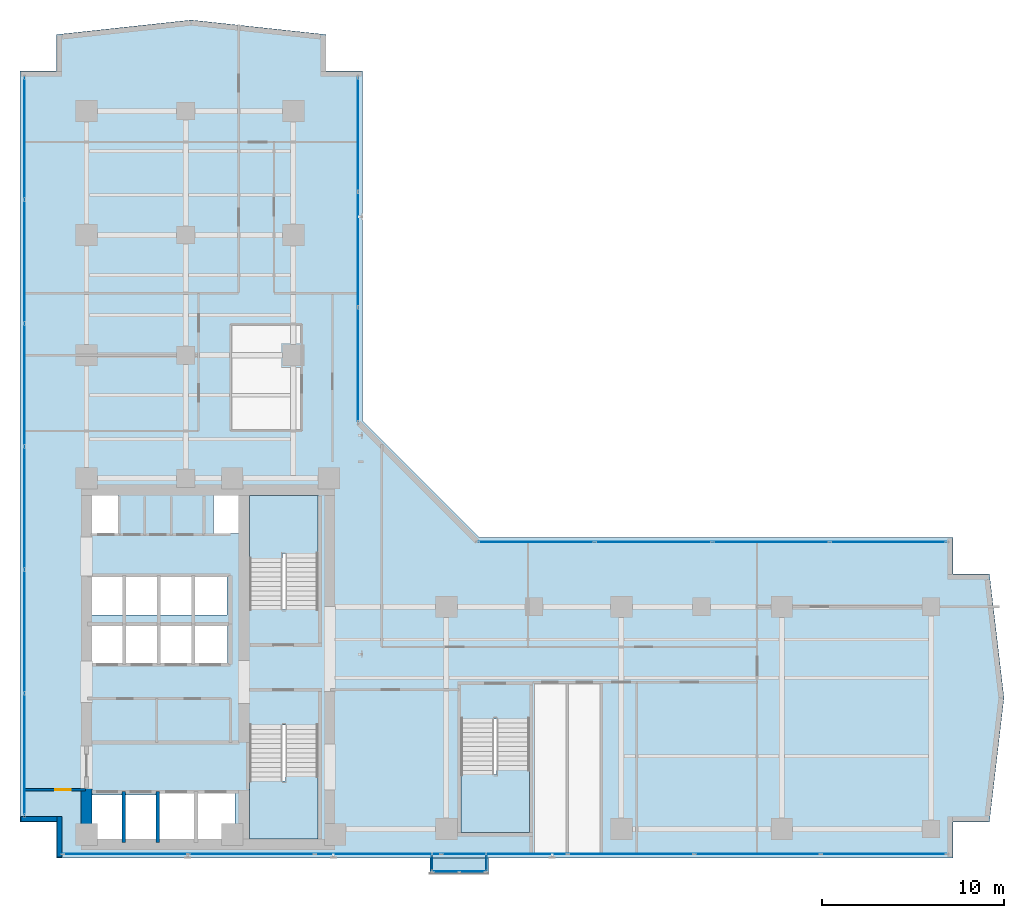
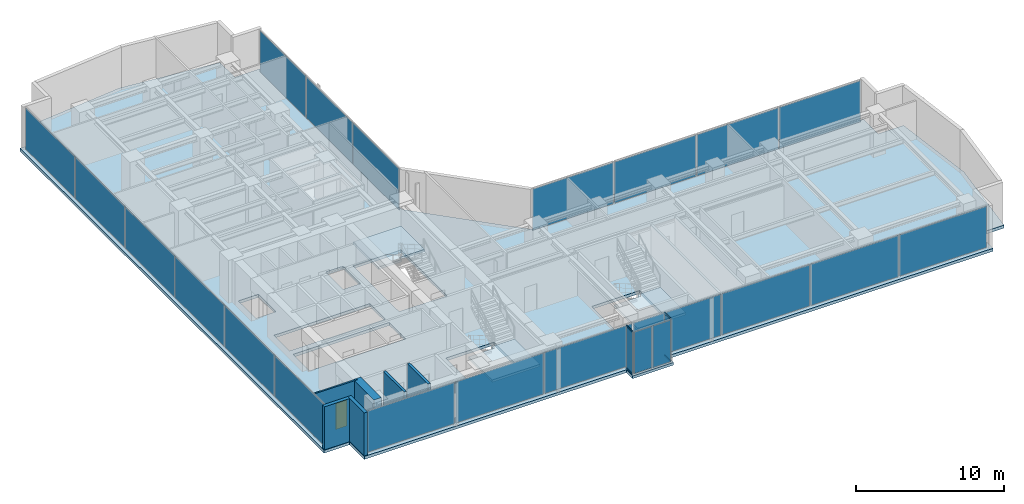
# One storey, part 18 of 24: 24 plates, 6 walls, 5 slabs, 4 members, 1 door, 1 opening, 10 elements without a shape of their own.
"""IFC4 building model written with IfcOpenShell, lengths in metres."""

from ifc_helpers import new_model, si_unit, direction, frame, frame_2d, origin, origin_with_axes, origin_2d, place, context, subcontext, project, spatial, polyline, rectangle, hollow_rectangle, outline, extrude, source, transform, mapped, material, layer, layer_set, material_profile, profile_set, type_object, element, fill, aggregate, save


model = new_model("IFC4")

# Units and contexts
model_context = context("Model", 3, precision=1e-05, world=origin(), true_north=direction((0.0, 1.0)))
body_context = subcontext(model_context, "Body", "Model", "MODEL_VIEW")
ifc_project = project(units=[si_unit("LENGTHUNIT", "METRE"), si_unit("AREAUNIT", "SQUARE_METRE"), si_unit("VOLUMEUNIT", "CUBIC_METRE"), si_unit("PLANEANGLEUNIT", "RADIAN"), si_unit("MASSUNIT", "GRAM", prefix="KILO")], contexts=[model_context])

# Site, building, storey
site_placement = place(None, origin())
site = spatial("IfcSite", under=ifc_project, at=site_placement, CompositionType="ELEMENT")
building_placement = place(site_placement, origin())
building = spatial("IfcBuilding", under=site, at=building_placement, Name="Kolvaren Waterfront Exchange", CompositionType="ELEMENT")
storey_placement = place(building_placement, frame((0.0, 0.0, 169.0)))
storey = spatial("IfcBuildingStorey", under=building, at=storey_placement, Name="L43", CompositionType="ELEMENT", Elevation=169.0)

# Curtain wall, members
ifc_material_1 = material(Name="Anodised bronze aluminium 6063-T6", Category="aluminium")
ifc_layer_1 = layer(ifc_material_1, 0.219970703125, Name="Anodised bronze aluminium 6063-T6")
ifc_layer_set_1 = layer_set([ifc_layer_1], Name="Anodised bronze aluminium 6063-T6")
curtain_wall_type_1 = type_object("IfcCurtainWallType", Name="ARC-CW-SYS3", PredefinedType="USERDEFINED", material=ifc_layer_set_1)
curtain_wall_1_placement = place(storey_placement, origin())
curtain_wall_1 = element("IfcCurtainWall", 1, at=curtain_wall_1_placement, inside=storey, type_object=curtain_wall_type_1, Name="L43 stick curtain wall CW3 (CW-L43-BOX-W)", ObjectType="STICK CURTAIN WALL", PredefinedType="USERDEFINED")
ifc_material_profile = material_profile(ifc_material_1, hollow_rectangle(XDim=0.06494140625, YDim=0.1298828125, WallThickness=0.00390625, at=origin_2d()), Name="ALU-TRN-130x65x4")
ifc_profile_set = profile_set([ifc_material_profile], Name="Anodised bronze aluminium 6063-T6")
member_type = type_object("IfcMemberType", Name="ARC-CWT-130", PredefinedType="USERDEFINED", material=ifc_profile_set)
shared_shape_1 = source(origin_with_axes(), body_context, "Body", "SweptSolid", [
    extrude(hollow_rectangle(XDim=0.06494140625, YDim=0.1298828125, WallThickness=0.00390625, at=origin_2d()), origin(), (0.0, 0.0, 1.0), 0.829833984375),
])
member_1_placement = place(storey_placement, frame((26.409912109375, 3.764892578125, 0.032470703125), z_axis=(0.0, -1.0, 0.0), x_axis=(1.0, 0.0, 0.0)))
member_1 = element("IfcMember", 2, at=member_1_placement, type_object=member_type, Name="CW3 transom 1.1", ObjectType="TRANSOM", PredefinedType="USERDEFINED", context=body_context, shape_type="MappedRepresentation", body=[
    mapped(shared_shape_1, transform((0.0, 0.0, 0.0), x_axis=(1.0, 0.0, 0.0), y_axis=(0.0, 1.0, 0.0), z_axis=(0.0, 0.0, 1.0), scale=1.0)),
])
member_2_placement = place(storey_placement, frame((26.409912109375, 3.764892578125, 3.527587890625), z_axis=(0.0, -1.0, 0.0), x_axis=(1.0, 0.0, 0.0)))
member_2 = element("IfcMember", 3, at=member_2_placement, type_object=member_type, Name="CW3 transom 1.2", ObjectType="TRANSOM", PredefinedType="USERDEFINED", context=body_context, shape_type="MappedRepresentation", body=[
    mapped(shared_shape_1, transform((0.0, 0.0, 0.0), x_axis=(1.0, 0.0, 0.0), y_axis=(0.0, 1.0, 0.0), z_axis=(0.0, 0.0, 1.0), scale=1.0)),
])

curtain_wall_2_placement = place(storey_placement, origin())
curtain_wall_2 = element("IfcCurtainWall", 4, at=curtain_wall_2_placement, inside=storey, type_object=curtain_wall_type_1, Name="L43 stick curtain wall CW3 (CW-L43-BOX-E)", ObjectType="STICK CURTAIN WALL", PredefinedType="USERDEFINED")
member_3_placement = place(storey_placement, frame((29.389892578125, 2.93505859375, 0.032470703125), z_axis=(0.0, 1.0, 0.0), x_axis=(-1.0, 0.0, 0.0)))
member_3 = element("IfcMember", 5, at=member_3_placement, type_object=member_type, Name="CW3 transom 1.1", ObjectType="TRANSOM", PredefinedType="USERDEFINED", context=body_context, shape_type="MappedRepresentation", body=[
    mapped(shared_shape_1, transform((0.0, 0.0, 0.0), x_axis=(1.0, 0.0, 0.0), y_axis=(0.0, 1.0, 0.0), z_axis=(0.0, 0.0, 1.0), scale=1.0)),
])
member_4_placement = place(storey_placement, frame((29.389892578125, 2.93505859375, 3.527587890625), z_axis=(0.0, 1.0, 0.0), x_axis=(-1.0, 0.0, 0.0)))
member_4 = element("IfcMember", 6, at=member_4_placement, type_object=member_type, Name="CW3 transom 1.2", ObjectType="TRANSOM", PredefinedType="USERDEFINED", context=body_context, shape_type="MappedRepresentation", body=[
    mapped(shared_shape_1, transform((0.0, 0.0, 0.0), x_axis=(1.0, 0.0, 0.0), y_axis=(0.0, 1.0, 0.0), z_axis=(0.0, 0.0, 1.0), scale=1.0)),
])

# Stair, slab
ifc_material_2 = material(Name="Concrete C40/50", Category="concrete")
stair_type = type_object("IfcStairType", Name="ARC-STAIR-3800", PredefinedType="HALF_TURN_STAIR", material=ifc_material_2)
stair_1_placement = place(storey_placement, origin())
stair_1 = element("IfcStair", 7, at=stair_1_placement, inside=storey, type_object=stair_type, Name="L43 Smoke-proof exit stair ST1", PredefinedType="HALF_TURN_STAIR")
ifc_layer_2 = layer(ifc_material_2, 0.199951171875, Name="Concrete C40/50")
ifc_layer_set_2 = layer_set([ifc_layer_2], Name="Concrete C40/50")
slab_type_1 = type_object("IfcSlabType", Name="STR-LANDING-200", PredefinedType="LANDING", material=ifc_layer_set_2)
slab_1_placement = place(storey_placement, frame((0.0, 0.0, 1.77587890625)))
slab_1 = element("IfcSlab", 8, at=slab_1_placement, type_object=slab_type_1, Name="ST1 landing 1", PredefinedType="LANDING", context=body_context, shape_type="SweptSolid", body=[
    extrude(outline(polyline([(16.39990234375, 7.840087890625), (16.39990234375, 4.64990234375), (20.159912109375, 4.64990234375), (20.159912109375, 8.10009765625), (18.360107421875, 8.10009765625), (18.360107421875, 7.840087890625), (16.39990234375, 7.840087890625)])), origin(), (0.0, 0.0, 1.0), 0.2001953125),
])
aggregate(stair_1, [slab_1])

stair_2_placement = place(storey_placement, origin())
stair_2 = element("IfcStair", 9, at=stair_2_placement, inside=storey, type_object=stair_type, Name="L43 Smoke-proof exit stair ST2", PredefinedType="HALF_TURN_STAIR")
slab_2_placement = place(storey_placement, frame((0.0, 0.0, 1.77587890625)))
slab_2 = element("IfcSlab", 10, at=slab_2_placement, type_object=slab_type_1, Name="ST2 landing 1", PredefinedType="LANDING", context=body_context, shape_type="SweptSolid", body=[
    extrude(outline(polyline([(20.159912109375, 20.31005859375), (20.159912109375, 23.5), (16.39990234375, 23.5), (16.39990234375, 20.050048828125), (18.199951171875, 20.050048828125), (18.199951171875, 20.31005859375), (20.159912109375, 20.31005859375)])), origin(), (0.0, 0.0, 1.0), 0.2001953125),
])
aggregate(stair_2, [slab_2])

stair_3_placement = place(storey_placement, origin())
stair_3 = element("IfcStair", 11, at=stair_3_placement, inside=storey, type_object=stair_type, Name="L43 Exit stair ST3", PredefinedType="HALF_TURN_STAIR")
slab_3_placement = place(storey_placement, frame((0.0, 0.0, 1.77587890625)))
slab_3 = element("IfcSlab", 12, at=slab_3_placement, type_object=slab_type_1, Name="ST3 landing 1", PredefinedType="LANDING", context=body_context, shape_type="SweptSolid", body=[
    extrude(outline(polyline([(28.0, 8.18994140625), (28.0, 5.0), (31.760009765625, 5.0), (31.760009765625, 8.449951171875), (29.9599609375, 8.449951171875), (29.9599609375, 8.18994140625), (28.0, 8.18994140625)])), origin(), (0.0, 0.0, 1.0), 0.2001953125),
])
aggregate(stair_3, [slab_3])

# Slabs
ifc_layer_3 = layer(ifc_material_2, 0.239990234375, Name="Concrete C40/50")
ifc_layer_set_3 = layer_set([ifc_layer_3], Name="Concrete C40/50")
slab_type_2 = type_object("IfcSlabType", Name="STR-SLAB-240", PredefinedType="FLOOR", material=ifc_layer_set_3)
slab_4_placement = place(storey_placement, frame((0.0, 0.0, -0.239990234375)))
element("IfcSlab", 13, at=slab_4_placement, inside=storey, type_object=slab_type_2, Name="L43 structural floor slab", PredefinedType="FLOOR", context=body_context, shape_type="SweptSolid", body=[
    extrude(outline(polyline([(5.800048828125, 3.60009765625), (55.0, 3.60009765625), (55.0, 5.60009765625), (57.0, 5.60009765625), (57.800048828125, 12.39990234375), (57.0, 19.199951171875), (55.0, 19.199951171875), (55.0, 21.199951171875), (29.0, 21.199951171875), (22.60009765625, 27.60009765625), (22.60009765625, 46.800048828125), (20.60009765625, 46.800048828125), (20.60009765625, 48.800048828125), (13.199951171875, 49.60009765625), (5.800048828125, 48.800048828125), (5.800048828125, 46.800048828125), (3.800048828125, 46.800048828125), (3.800048828125, 5.60009765625), (5.800048828125, 5.60009765625), (5.800048828125, 3.60009765625)]), holes=[polyline([(11.320068359375, 7.260009765625), (15.610107421875, 7.260009765625), (15.610107421875, 4.5400390625), (7.719970703125, 4.5400390625), (7.719970703125, 7.06005859375), (11.320068359375, 7.06005859375), (11.320068359375, 7.260009765625)]), polyline([(20.159912109375, 10.89990234375), (20.159912109375, 4.64990234375), (16.39990234375, 4.64990234375), (16.39990234375, 10.89990234375), (20.159912109375, 10.89990234375)]), polyline([(31.760009765625, 11.25), (31.760009765625, 5.0), (28.0, 5.0), (28.0, 11.25), (31.760009765625, 11.25)]), polyline([(15.18505859375, 14.239990234375), (7.64501953125, 14.239990234375), (7.64501953125, 16.4599609375), (15.18505859375, 16.4599609375), (15.18505859375, 14.239990234375)]), polyline([(15.159912109375, 16.93994140625), (7.669921875, 16.93994140625), (7.669921875, 19.06005859375), (15.159912109375, 19.06005859375), (15.159912109375, 16.93994140625)]), polyline([(16.39990234375, 23.5), (20.159912109375, 23.5), (20.159912109375, 17.25), (16.39990234375, 17.25), (16.39990234375, 23.5)]), polyline([(7.60009765625, 23.780029296875), (9.179931640625, 23.780029296875), (9.179931640625, 21.419921875), (7.60009765625, 21.419921875), (7.60009765625, 23.780029296875)]), polyline([(15.800048828125, 23.780029296875), (15.800048828125, 21.419921875), (14.419921875, 21.419921875), (14.419921875, 23.780029296875), (15.800048828125, 23.780029296875)])]), origin(), (0.0, 0.0, 1.0), 0.239990234375),
])
ifc_layer_4 = layer(ifc_material_2, 0.219970703125, Name="Concrete C40/50")
ifc_layer_set_4 = layer_set([ifc_layer_4], Name="Concrete C40/50")
slab_type_3 = type_object("IfcSlabType", Name="STR-TERR-220", PredefinedType="FLOOR", material=ifc_layer_set_4)
slab_5_placement = place(storey_placement, frame((0.0, 0.0, -0.219970703125)))
element("IfcSlab", 14, at=slab_5_placement, inside=storey, type_object=slab_type_3, Name="L43 projecting bay-box floor strip", PredefinedType="FLOOR", context=body_context, shape_type="SweptSolid", body=[
    extrude(outline(polyline([(26.300048828125, 2.75), (29.5, 2.75), (29.5, 3.60009765625), (26.300048828125, 3.60009765625), (26.300048828125, 2.75)])), origin(), (0.0, 0.0, 1.0), 0.219970703125),
])

# Plate
ifc_material_3 = material(Name="Bronze tinted bay-box vision glass", Category="aluminium")
ifc_layer_5 = layer(ifc_material_3, 0.02392578125, Name="Bronze tinted bay-box vision glass")
ifc_layer_set_5 = layer_set([ifc_layer_5], Name="Bronze tinted bay-box vision glass")
plate_type_1 = type_object("IfcPlateType", Name="ARC-CWP-24", PredefinedType="CURTAIN_PANEL", material=ifc_layer_set_5)
shared_shape_2 = source(origin_with_axes(), body_context, "Body", "SweptSolid", [
    extrude(rectangle(XDim=0.830078125, YDim=0.02392578125, at=origin_2d()), origin(), (0.0, 0.0, 1.0), 3.429931640625),
])
plate_1_placement = place(storey_placement, frame((26.409912109375, 3.35009765625, 0.06494140625), z_axis=(0.0, 0.0, 1.0), x_axis=(0.0, -1.0, 0.0)))
plate_1 = element("IfcPlate", 15, at=plate_1_placement, type_object=plate_type_1, Name="CW3 panel 1.1", PredefinedType="CURTAIN_PANEL", context=body_context, shape_type="MappedRepresentation", body=[
    mapped(shared_shape_2, transform((0.0, 0.0, 0.0), x_axis=(1.0, 0.0, 0.0), y_axis=(0.0, 1.0, 0.0), z_axis=(0.0, 0.0, 1.0), scale=1.0)),
])

aggregate(curtain_wall_1, [member_1, member_2, plate_1])

plate_2_placement = place(storey_placement, frame((29.389892578125, 3.35009765625, 0.06494140625), z_axis=(0.0, 0.0, 1.0), x_axis=(0.0, 1.0, 0.0)))
plate_2 = element("IfcPlate", 16, at=plate_2_placement, type_object=plate_type_1, Name="CW3 panel 1.1", PredefinedType="CURTAIN_PANEL", context=body_context, shape_type="MappedRepresentation", body=[
    mapped(shared_shape_2, transform((0.0, 0.0, 0.0), x_axis=(1.0, 0.0, 0.0), y_axis=(0.0, 1.0, 0.0), z_axis=(0.0, 0.0, 1.0), scale=1.0)),
])

aggregate(curtain_wall_2, [member_3, member_4, plate_2])

# Curtain wall, plates
curtain_wall_3_placement = place(storey_placement, origin())
curtain_wall_3 = element("IfcCurtainWall", 17, at=curtain_wall_3_placement, inside=storey, type_object=curtain_wall_type_1, Name="L43 stick curtain wall CW3 (CW-L43-BOX)", ObjectType="STICK CURTAIN WALL", PredefinedType="USERDEFINED")
shared_shape_3 = source(origin_with_axes(), body_context, "Body", "SweptSolid", [
    extrude(rectangle(XDim=1.37744140625, YDim=0.02392578125, at=origin_2d()), origin(), (0.0, 0.0, 1.0), 3.429931640625),
])
plate_3_placement = place(storey_placement, frame((27.173828125, 2.860107421875, 0.06494140625), z_axis=(0.0, 0.0, 1.0), x_axis=(1.0, 0.0, 0.0)))
plate_3 = element("IfcPlate", 18, at=plate_3_placement, type_object=plate_type_1, Name="CW3 panel 1.1", PredefinedType="CURTAIN_PANEL", context=body_context, shape_type="MappedRepresentation", body=[
    mapped(shared_shape_3, transform((0.0, 0.0, 0.0), x_axis=(1.0, 0.0, 0.0), y_axis=(0.0, 1.0, 0.0), z_axis=(0.0, 0.0, 1.0), scale=1.0)),
])
plate_4_placement = place(storey_placement, frame((28.626220703125, 2.860107421875, 0.06494140625), z_axis=(0.0, 0.0, 1.0), x_axis=(1.0, 0.0, 0.0)))
plate_4 = element("IfcPlate", 19, at=plate_4_placement, type_object=plate_type_1, Name="CW3 panel 2.1", PredefinedType="CURTAIN_PANEL", context=body_context, shape_type="MappedRepresentation", body=[
    mapped(shared_shape_3, transform((0.0, 0.0, 0.0), x_axis=(1.0, 0.0, 0.0), y_axis=(0.0, 1.0, 0.0), z_axis=(0.0, 0.0, 1.0), scale=1.0)),
])
aggregate(curtain_wall_3, [plate_3, plate_4])

ifc_layer_6 = layer(ifc_material_1, 0.219970703125, Name="Anodised bronze aluminium 6063-T6")
ifc_layer_set_6 = layer_set([ifc_layer_6], Name="Anodised bronze aluminium 6063-T6")
curtain_wall_type_2 = type_object("IfcCurtainWallType", Name="ARC-CW-SYS1", PredefinedType="USERDEFINED", material=ifc_layer_set_6)
curtain_wall_4_placement = place(storey_placement, origin())
curtain_wall_4 = element("IfcCurtainWall", 20, at=curtain_wall_4_placement, inside=storey, type_object=curtain_wall_type_2, Name="L43 stick curtain wall CW1 (CW-L43-S)", ObjectType="STICK CURTAIN WALL", PredefinedType="USERDEFINED")
ifc_material_4 = material(Name="Bronze solar control vision glass", Category="aluminium")
ifc_layer_7 = layer(ifc_material_4, 0.028076171875, Name="Bronze solar control vision glass")
ifc_layer_set_7 = layer_set([ifc_layer_7], Name="Bronze solar control vision glass")
plate_type_2 = type_object("IfcPlateType", Name="ARC-CWP-28", PredefinedType="CURTAIN_PANEL", material=ifc_layer_set_7)
shared_shape_4 = source(origin_with_axes(), body_context, "Body", "SweptSolid", [
    extrude(rectangle(XDim=6.82275390625, YDim=0.028076171875, at=origin_2d()), origin(), (0.0, 0.0, 1.0), 3.409912109375),
])
plate_5_placement = place(storey_placement, frame((9.59130859375, 3.840087890625, 0.0751953125), z_axis=(0.0, 0.0, 1.0), x_axis=(1.0, 0.0, 0.0)))
plate_5 = element("IfcPlate", 21, at=plate_5_placement, type_object=plate_type_2, Name="CW1 panel 1.1", PredefinedType="CURTAIN_PANEL", context=body_context, shape_type="MappedRepresentation", body=[
    mapped(shared_shape_4, transform((0.0, 0.0, 0.0), x_axis=(1.0, 0.0, 0.0), y_axis=(0.0, 1.0, 0.0), z_axis=(0.0, 0.0, 1.0), scale=1.0)),
])
plate_6_placement = place(storey_placement, frame((51.20849609375, 3.840087890625, 0.0751953125), z_axis=(0.0, 0.0, 1.0), x_axis=(1.0, 0.0, 0.0)))
plate_6 = element("IfcPlate", 22, at=plate_6_placement, type_object=plate_type_2, Name="CW1 panel 7.1", PredefinedType="CURTAIN_PANEL", context=body_context, shape_type="MappedRepresentation", body=[
    mapped(shared_shape_4, transform((0.0, 0.0, 0.0), x_axis=(1.0, 0.0, 0.0), y_axis=(0.0, 1.0, 0.0), z_axis=(0.0, 0.0, 1.0), scale=1.0)),
])
shared_shape_5 = source(origin_with_axes(), body_context, "Body", "SweptSolid", [
    extrude(rectangle(XDim=6.86279296875, YDim=0.028076171875, at=origin_2d()), origin(), (0.0, 0.0, 1.0), 3.409912109375),
])
plate_7_placement = place(storey_placement, frame((16.514404296875, 3.840087890625, 0.0751953125), z_axis=(0.0, 0.0, 1.0), x_axis=(1.0, 0.0, 0.0)))
plate_7 = element("IfcPlate", 23, at=plate_7_placement, type_object=plate_type_2, Name="CW1 panel 2.1", PredefinedType="CURTAIN_PANEL", context=body_context, shape_type="MappedRepresentation", body=[
    mapped(shared_shape_5, transform((0.0, 0.0, 0.0), x_axis=(1.0, 0.0, 0.0), y_axis=(0.0, 1.0, 0.0), z_axis=(0.0, 0.0, 1.0), scale=1.0)),
])
plate_8_placement = place(storey_placement, frame((23.45703125, 3.840087890625, 0.0751953125), z_axis=(0.0, 0.0, 1.0), x_axis=(1.0, 0.0, 0.0)))
plate_8 = element("IfcPlate", 24, at=plate_8_placement, type_object=plate_type_2, Name="CW1 panel 3.1", PredefinedType="CURTAIN_PANEL", context=body_context, shape_type="MappedRepresentation", body=[
    mapped(shared_shape_5, transform((0.0, 0.0, 0.0), x_axis=(1.0, 0.0, 0.0), y_axis=(0.0, 1.0, 0.0), z_axis=(0.0, 0.0, 1.0), scale=1.0)),
])
plate_9_placement = place(storey_placement, frame((30.39990234375, 3.840087890625, 0.0751953125), z_axis=(0.0, 0.0, 1.0), x_axis=(1.0, 0.0, 0.0)))
plate_9 = element("IfcPlate", 25, at=plate_9_placement, type_object=plate_type_2, Name="CW1 panel 4.1", PredefinedType="CURTAIN_PANEL", context=body_context, shape_type="MappedRepresentation", body=[
    mapped(shared_shape_5, transform((0.0, 0.0, 0.0), x_axis=(1.0, 0.0, 0.0), y_axis=(0.0, 1.0, 0.0), z_axis=(0.0, 0.0, 1.0), scale=1.0)),
])
plate_10_placement = place(storey_placement, frame((37.3427734375, 3.840087890625, 0.0751953125), z_axis=(0.0, 0.0, 1.0), x_axis=(1.0, 0.0, 0.0)))
plate_10 = element("IfcPlate", 26, at=plate_10_placement, type_object=plate_type_2, Name="CW1 panel 5.1", PredefinedType="CURTAIN_PANEL", context=body_context, shape_type="MappedRepresentation", body=[
    mapped(shared_shape_5, transform((0.0, 0.0, 0.0), x_axis=(1.0, 0.0, 0.0), y_axis=(0.0, 1.0, 0.0), z_axis=(0.0, 0.0, 1.0), scale=1.0)),
])
plate_11_placement = place(storey_placement, frame((44.28564453125, 3.840087890625, 0.0751953125), z_axis=(0.0, 0.0, 1.0), x_axis=(1.0, 0.0, 0.0)))
plate_11 = element("IfcPlate", 27, at=plate_11_placement, type_object=plate_type_2, Name="CW1 panel 6.1", PredefinedType="CURTAIN_PANEL", context=body_context, shape_type="MappedRepresentation", body=[
    mapped(shared_shape_5, transform((0.0, 0.0, 0.0), x_axis=(1.0, 0.0, 0.0), y_axis=(0.0, 1.0, 0.0), z_axis=(0.0, 0.0, 1.0), scale=1.0)),
])
aggregate(curtain_wall_4, [plate_5, plate_7, plate_8, plate_9, plate_10, plate_11, plate_6])

curtain_wall_5_placement = place(storey_placement, origin())
curtain_wall_5 = element("IfcCurtainWall", 28, at=curtain_wall_5_placement, inside=storey, type_object=curtain_wall_type_2, Name="L43 stick curtain wall CW1 (CW-L43-NE)", ObjectType="STICK CURTAIN WALL", PredefinedType="USERDEFINED")
shared_shape_6 = source(origin_with_axes(), body_context, "Body", "SweptSolid", [
    extrude(rectangle(XDim=6.216552734375, YDim=0.028076171875, at=origin_2d()), origin(), (0.0, 0.0, 1.0), 3.409912109375),
])
plate_12_placement = place(storey_placement, frame((22.360107421875, 30.67822265625, 0.0751953125), z_axis=(0.0, 0.0, 1.0), x_axis=(0.0, 1.0, 0.0)))
plate_12 = element("IfcPlate", 29, at=plate_12_placement, type_object=plate_type_2, Name="CW1 panel 1.1", PredefinedType="CURTAIN_PANEL", context=body_context, shape_type="MappedRepresentation", body=[
    mapped(shared_shape_6, transform((0.0, 0.0, 0.0), x_axis=(1.0, 0.0, 0.0), y_axis=(0.0, 1.0, 0.0), z_axis=(0.0, 0.0, 1.0), scale=1.0)),
])
plate_13_placement = place(storey_placement, frame((22.360107421875, 43.311767578125, 0.0751953125), z_axis=(0.0, 0.0, 1.0), x_axis=(0.0, 1.0, 0.0)))
plate_13 = element("IfcPlate", 30, at=plate_13_placement, type_object=plate_type_2, Name="CW1 panel 3.1", PredefinedType="CURTAIN_PANEL", context=body_context, shape_type="MappedRepresentation", body=[
    mapped(shared_shape_6, transform((0.0, 0.0, 0.0), x_axis=(1.0, 0.0, 0.0), y_axis=(0.0, 1.0, 0.0), z_axis=(0.0, 0.0, 1.0), scale=1.0)),
])
shared_shape_7 = source(origin_with_axes(), body_context, "Body", "SweptSolid", [
    extrude(rectangle(XDim=6.256591796875, YDim=0.028076171875, at=origin_2d()), origin(), (0.0, 0.0, 1.0), 3.409912109375),
])
plate_14_placement = place(storey_placement, frame((22.360107421875, 36.9951171875, 0.0751953125), z_axis=(0.0, 0.0, 1.0), x_axis=(0.0, 1.0, 0.0)))
plate_14 = element("IfcPlate", 31, at=plate_14_placement, type_object=plate_type_2, Name="CW1 panel 2.1", PredefinedType="CURTAIN_PANEL", context=body_context, shape_type="MappedRepresentation", body=[
    mapped(shared_shape_7, transform((0.0, 0.0, 0.0), x_axis=(1.0, 0.0, 0.0), y_axis=(0.0, 1.0, 0.0), z_axis=(0.0, 0.0, 1.0), scale=1.0)),
])
aggregate(curtain_wall_5, [plate_12, plate_14, plate_13])

curtain_wall_6_placement = place(storey_placement, origin())
curtain_wall_6 = element("IfcCurtainWall", 32, at=curtain_wall_6_placement, inside=storey, type_object=curtain_wall_type_2, Name="L43 stick curtain wall CW1 (CW-L43-EN)", ObjectType="STICK CURTAIN WALL", PredefinedType="USERDEFINED")
shared_shape_8 = source(origin_with_axes(), body_context, "Body", "SweptSolid", [
    extrude(rectangle(XDim=6.33251953125, YDim=0.028076171875, at=origin_2d()), origin(), (0.0, 0.0, 1.0), 3.409912109375),
])
plate_15_placement = place(storey_placement, frame((32.13623046875, 20.9599609375, 0.0751953125), z_axis=(0.0, 0.0, 1.0), x_axis=(1.0, 0.0, 0.0)))
plate_15 = element("IfcPlate", 33, at=plate_15_placement, type_object=plate_type_2, Name="CW1 panel 1.1", PredefinedType="CURTAIN_PANEL", context=body_context, shape_type="MappedRepresentation", body=[
    mapped(shared_shape_8, transform((0.0, 0.0, 0.0), x_axis=(1.0, 0.0, 0.0), y_axis=(0.0, 1.0, 0.0), z_axis=(0.0, 0.0, 1.0), scale=1.0)),
])
plate_16_placement = place(storey_placement, frame((51.453857421875, 20.9599609375, 0.0751953125), z_axis=(0.0, 0.0, 1.0), x_axis=(1.0, 0.0, 0.0)))
plate_16 = element("IfcPlate", 34, at=plate_16_placement, type_object=plate_type_2, Name="CW1 panel 4.1", PredefinedType="CURTAIN_PANEL", context=body_context, shape_type="MappedRepresentation", body=[
    mapped(shared_shape_8, transform((0.0, 0.0, 0.0), x_axis=(1.0, 0.0, 0.0), y_axis=(0.0, 1.0, 0.0), z_axis=(0.0, 0.0, 1.0), scale=1.0)),
])
shared_shape_9 = source(origin_with_axes(), body_context, "Body", "SweptSolid", [
    extrude(rectangle(XDim=6.37255859375, YDim=0.028076171875, at=origin_2d()), origin(), (0.0, 0.0, 1.0), 3.409912109375),
])
plate_17_placement = place(storey_placement, frame((38.56884765625, 20.9599609375, 0.0751953125), z_axis=(0.0, 0.0, 1.0), x_axis=(1.0, 0.0, 0.0)))
plate_17 = element("IfcPlate", 35, at=plate_17_placement, type_object=plate_type_2, Name="CW1 panel 2.1", PredefinedType="CURTAIN_PANEL", context=body_context, shape_type="MappedRepresentation", body=[
    mapped(shared_shape_9, transform((0.0, 0.0, 0.0), x_axis=(1.0, 0.0, 0.0), y_axis=(0.0, 1.0, 0.0), z_axis=(0.0, 0.0, 1.0), scale=1.0)),
])
plate_18_placement = place(storey_placement, frame((45.021240234375, 20.9599609375, 0.0751953125), z_axis=(0.0, 0.0, 1.0), x_axis=(1.0, 0.0, 0.0)))
plate_18 = element("IfcPlate", 36, at=plate_18_placement, type_object=plate_type_2, Name="CW1 panel 3.1", PredefinedType="CURTAIN_PANEL", context=body_context, shape_type="MappedRepresentation", body=[
    mapped(shared_shape_9, transform((0.0, 0.0, 0.0), x_axis=(1.0, 0.0, 0.0), y_axis=(0.0, 1.0, 0.0), z_axis=(0.0, 0.0, 1.0), scale=1.0)),
])
aggregate(curtain_wall_6, [plate_15, plate_17, plate_18, plate_16])

ifc_material_5 = material(Name="Anodised aluminium 6063-T6", Category="aluminium")
ifc_layer_8 = layer(ifc_material_5, 0.219970703125, Name="Anodised aluminium 6063-T6")
ifc_layer_set_8 = layer_set([ifc_layer_8], Name="Anodised aluminium 6063-T6")
curtain_wall_type_3 = type_object("IfcCurtainWallType", Name="ARC-CW-SYS2", PredefinedType="USERDEFINED", material=ifc_layer_set_8)
curtain_wall_7_placement = place(storey_placement, origin())
curtain_wall_7 = element("IfcCurtainWall", 37, at=curtain_wall_7_placement, inside=storey, type_object=curtain_wall_type_3, Name="L43 stick curtain wall CW2 (CW-L43-W)", ObjectType="STICK CURTAIN WALL", PredefinedType="USERDEFINED")
ifc_material_6 = material(Name="Acoustic laminated vision glass", Category="glass")
ifc_layer_9 = layer(ifc_material_6, 0.031982421875, Name="Acoustic laminated vision glass")
ifc_layer_set_9 = layer_set([ifc_layer_9], Name="Acoustic laminated vision glass")
plate_type_3 = type_object("IfcPlateType", Name="ARC-CWP-32", PredefinedType="CURTAIN_PANEL", material=ifc_layer_set_9)
shared_shape_10 = source(origin_with_axes(), body_context, "Body", "SweptSolid", [
    extrude(rectangle(XDim=6.646728515625, YDim=0.031982421875, at=origin_2d()), origin(), (0.0, 0.0, 1.0), 3.409912109375),
])
plate_19_placement = place(storey_placement, frame((4.0400390625, 9.30322265625, 0.0751953125), z_axis=(0.0, 0.0, 1.0), x_axis=(0.0, 1.0, 0.0)))
plate_19 = element("IfcPlate", 38, at=plate_19_placement, type_object=plate_type_3, Name="CW2 panel 1.1", PredefinedType="CURTAIN_PANEL", context=body_context, shape_type="MappedRepresentation", body=[
    mapped(shared_shape_10, transform((0.0, 0.0, 0.0), x_axis=(1.0, 0.0, 0.0), y_axis=(0.0, 1.0, 0.0), z_axis=(0.0, 0.0, 1.0), scale=1.0)),
])
plate_20_placement = place(storey_placement, frame((4.0400390625, 43.0966796875, 0.0751953125), z_axis=(0.0, 0.0, 1.0), x_axis=(0.0, 1.0, 0.0)))
plate_20 = element("IfcPlate", 39, at=plate_20_placement, type_object=plate_type_3, Name="CW2 panel 6.1", PredefinedType="CURTAIN_PANEL", context=body_context, shape_type="MappedRepresentation", body=[
    mapped(shared_shape_10, transform((0.0, 0.0, 0.0), x_axis=(1.0, 0.0, 0.0), y_axis=(0.0, 1.0, 0.0), z_axis=(0.0, 0.0, 1.0), scale=1.0)),
])
shared_shape_11 = source(origin_with_axes(), body_context, "Body", "SweptSolid", [
    extrude(rectangle(XDim=6.686767578125, YDim=0.031982421875, at=origin_2d()), origin(), (0.0, 0.0, 1.0), 3.409912109375),
])
plate_21_placement = place(storey_placement, frame((4.0400390625, 16.050048828125, 0.0751953125), z_axis=(0.0, 0.0, 1.0), x_axis=(0.0, 1.0, 0.0)))
plate_21 = element("IfcPlate", 40, at=plate_21_placement, type_object=plate_type_3, Name="CW2 panel 2.1", PredefinedType="CURTAIN_PANEL", context=body_context, shape_type="MappedRepresentation", body=[
    mapped(shared_shape_11, transform((0.0, 0.0, 0.0), x_axis=(1.0, 0.0, 0.0), y_axis=(0.0, 1.0, 0.0), z_axis=(0.0, 0.0, 1.0), scale=1.0)),
])
plate_22_placement = place(storey_placement, frame((4.0400390625, 22.816650390625, 0.0751953125), z_axis=(0.0, 0.0, 1.0), x_axis=(0.0, 1.0, 0.0)))
plate_22 = element("IfcPlate", 41, at=plate_22_placement, type_object=plate_type_3, Name="CW2 panel 3.1", PredefinedType="CURTAIN_PANEL", context=body_context, shape_type="MappedRepresentation", body=[
    mapped(shared_shape_11, transform((0.0, 0.0, 0.0), x_axis=(1.0, 0.0, 0.0), y_axis=(0.0, 1.0, 0.0), z_axis=(0.0, 0.0, 1.0), scale=1.0)),
])
plate_23_placement = place(storey_placement, frame((4.0400390625, 29.583251953125, 0.0751953125), z_axis=(0.0, 0.0, 1.0), x_axis=(0.0, 1.0, 0.0)))
plate_23 = element("IfcPlate", 42, at=plate_23_placement, type_object=plate_type_3, Name="CW2 panel 4.1", PredefinedType="CURTAIN_PANEL", context=body_context, shape_type="MappedRepresentation", body=[
    mapped(shared_shape_11, transform((0.0, 0.0, 0.0), x_axis=(1.0, 0.0, 0.0), y_axis=(0.0, 1.0, 0.0), z_axis=(0.0, 0.0, 1.0), scale=1.0)),
])
plate_24_placement = place(storey_placement, frame((4.0400390625, 36.35009765625, 0.0751953125), z_axis=(0.0, 0.0, 1.0), x_axis=(0.0, 1.0, 0.0)))
plate_24 = element("IfcPlate", 43, at=plate_24_placement, type_object=plate_type_3, Name="CW2 panel 5.1", PredefinedType="CURTAIN_PANEL", context=body_context, shape_type="MappedRepresentation", body=[
    mapped(shared_shape_11, transform((0.0, 0.0, 0.0), x_axis=(1.0, 0.0, 0.0), y_axis=(0.0, 1.0, 0.0), z_axis=(0.0, 0.0, 1.0), scale=1.0)),
])
aggregate(curtain_wall_7, [plate_19, plate_21, plate_22, plate_23, plate_24, plate_20])

# Walls
ifc_material_7 = material(Name="Precast concrete C40/50", Category="concrete")
ifc_layer_10 = layer(ifc_material_7, 0.280029296875, Name="Precast concrete C40/50")
ifc_layer_set_10 = layer_set([ifc_layer_10], Name="Precast concrete C40/50")
wall_type_1 = type_object("IfcWallType", Name="ARC-EXT-TERR-280", PredefinedType="SOLIDWALL", material=ifc_layer_set_10)
wall_1_placement = place(storey_placement, frame((5.9599609375, 3.659912109375, 0.0), z_axis=(0.0, 0.0, 1.0), x_axis=(0.0, 1.0, 0.0)))
element("IfcWall", 44, at=wall_1_placement, inside=storey, type_object=wall_type_1, Name="L43 notched corner spandrel pier SW-A", PredefinedType="SOLIDWALL", context=body_context, shape_type="SweptSolid", body=[
    extrude(rectangle(XDim=2.239990234375, YDim=0.280029296875, at=frame_2d((1.1201171875, 0.0))), origin(), (0.0, 0.0, 1.0), 3.56005859375),
])
wall_2_placement = place(storey_placement, frame((3.860107421875, 5.760009765625, 0.0), z_axis=(0.0, 0.0, 1.0), x_axis=(1.0, 0.0, 0.0)))
element("IfcWall", 45, at=wall_2_placement, inside=storey, type_object=wall_type_1, Name="L43 notched corner spandrel pier SW-B", PredefinedType="SOLIDWALL", context=body_context, shape_type="SweptSolid", body=[
    extrude(rectangle(XDim=1.9599609375, YDim=0.280029296875, at=frame_2d((0.97998046875, 0.0))), origin(), (0.0, 0.0, 1.0), 3.56005859375),
])

# Wall, opening, door
ifc_material_8 = material(Name="Acoustic gypsum steel stud", Category="steel")
ifc_layer_11 = layer(ifc_material_8, 0.125, Name="Acoustic gypsum steel stud")
ifc_layer_set_11 = layer_set([ifc_layer_11], Name="Acoustic gypsum steel stud")
wall_type_2 = type_object("IfcWallType", Name="ARC-PART-125", PredefinedType="PARTITIONING", material=ifc_layer_set_11)
wall_3_placement = place(storey_placement, frame((4.0400390625, 7.35009765625, 0.0), z_axis=(0.0, 0.0, 1.0), x_axis=(1.0, 0.0, 0.0)))
wall_3 = element("IfcWall", 46, at=wall_3_placement, inside=storey, type_object=wall_type_2, Name="L43 interior wall PW-L43-SWC-N", PredefinedType="PARTITIONING", context=body_context, shape_type="SweptSolid", body=[
    extrude(rectangle(XDim=3.35986328125, YDim=0.125, at=frame_2d((1.679931640625, 0.0))), origin(), (0.0, 0.0, 1.0), 3.56005859375),
])
opening_placement = place(wall_3_placement, frame((1.686767578125, 0.0, 0.0)))
opening = element("IfcOpeningElement", 47, at=opening_placement, cuts=wall_3, Name="Opening D01", PredefinedType="OPENING", context=body_context, shape_type="SweptSolid", body=[
    extrude(rectangle(XDim=0.85009765625, YDim=2.14990234375, at=frame_2d((0.425048828125, 1.074951171875))), frame((0.0, 0.072509765625, 0.0), z_axis=(0.0, -1.0, 0.0), x_axis=(1.0, 0.0, 0.0)), (0.0, 0.0, 1.0), 0.14501953125),
])
ifc_material_9 = material(Name="Oak veneer timber leaf", Category="wood")
door_type = type_object("IfcDoorType", Name="ARC-DR-900", OperationType="NOTDEFINED", PredefinedType="DOOR", material=ifc_material_9)
door_placement = place(opening_placement, origin())
door = element("IfcDoor", 48, at=door_placement, inside=storey, type_object=door_type, Name="L43 door DR-L43-SWC-D (D01)", OperationType="SINGLE_SWING_LEFT", OverallHeight=2.14990234375, OverallWidth=0.85009765625, PredefinedType="DOOR", context=body_context, shape_type="SweptSolid", body=[
    extrude(rectangle(XDim=0.85009765625, YDim=2.14990234375, at=frame_2d((0.425048828125, 1.074951171875))), frame((0.0, 0.02490234375, 0.0), z_axis=(0.0, -1.0, 0.0), x_axis=(1.0, 0.0, 0.0)), (0.0, 0.0, 1.0), 0.050048828125),
])
fill(opening, door)

# Walls
ifc_layer_12 = layer(ifc_material_2, 0.199951171875, Name="Concrete C40/50")
ifc_layer_set_12 = layer_set([ifc_layer_12], Name="Concrete C40/50")
wall_type_3 = type_object("IfcWallType", Name="ARC-SHAFT-200", PredefinedType="PARTITIONING", material=ifc_layer_set_12)
for number, where, z_axis, x_axis, name in (
    (49, (9.5, 4.449951171875, 0.0), (0.0, 0.0, 1.0), (0.0, 1.0, 0.0), "L43 interior wall PW-L43-SH1-DIV-95"),
    (50, (11.360107421875, 4.449951171875, 0.0), (0.0, 0.0, 1.0), (0.0, 1.0, 0.0), "L43 interior wall PW-L43-SH1-DIV-113"),
):
    element("IfcWall", number, at=place(storey_placement, frame(where, z_axis=z_axis, x_axis=x_axis)), inside=storey, type_object=wall_type_3, Name=name, PredefinedType="PARTITIONING", context=body_context, shape_type="SweptSolid", body=[
        extrude(rectangle(XDim=2.800048828125, YDim=0.199951171875, at=frame_2d((1.39990234375, 0.0))), origin(), (0.0, 0.0, 1.0), 3.56005859375),
    ])
ifc_material_10 = material(Name="Concrete C60/75", Category="concrete")
ifc_layer_13 = layer(ifc_material_10, 0.60009765625, Name="Concrete C60/75")
ifc_layer_set_13 = layer_set([ifc_layer_13], Name="Concrete C60/75")
wall_type_4 = type_object("IfcWallType", Name="STR-CWALL-600", PredefinedType="SHEAR", material=ifc_layer_set_13)
wall_4_placement = place(storey_placement, frame((7.449951171875, 4.64990234375, 0.0), z_axis=(0.0, 0.0, 1.0), x_axis=(0.0, 1.0, 0.0)))
element("IfcWall", 51, at=wall_4_placement, inside=storey, type_object=wall_type_4, Name="L43 rear-core shear wall W1", PredefinedType="SHEAR", context=body_context, shape_type="SweptSolid", body=[
    extrude(rectangle(XDim=2.800048828125, YDim=0.60009765625, at=frame_2d((1.39990234375, 0.0))), origin(), (0.0, 0.0, 1.0), 3.56005859375),
])

save(model, "model.ifc")
